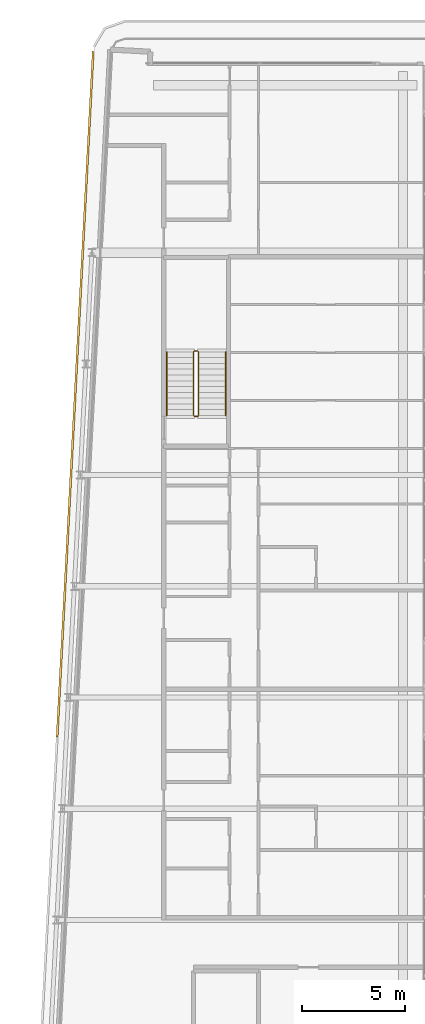
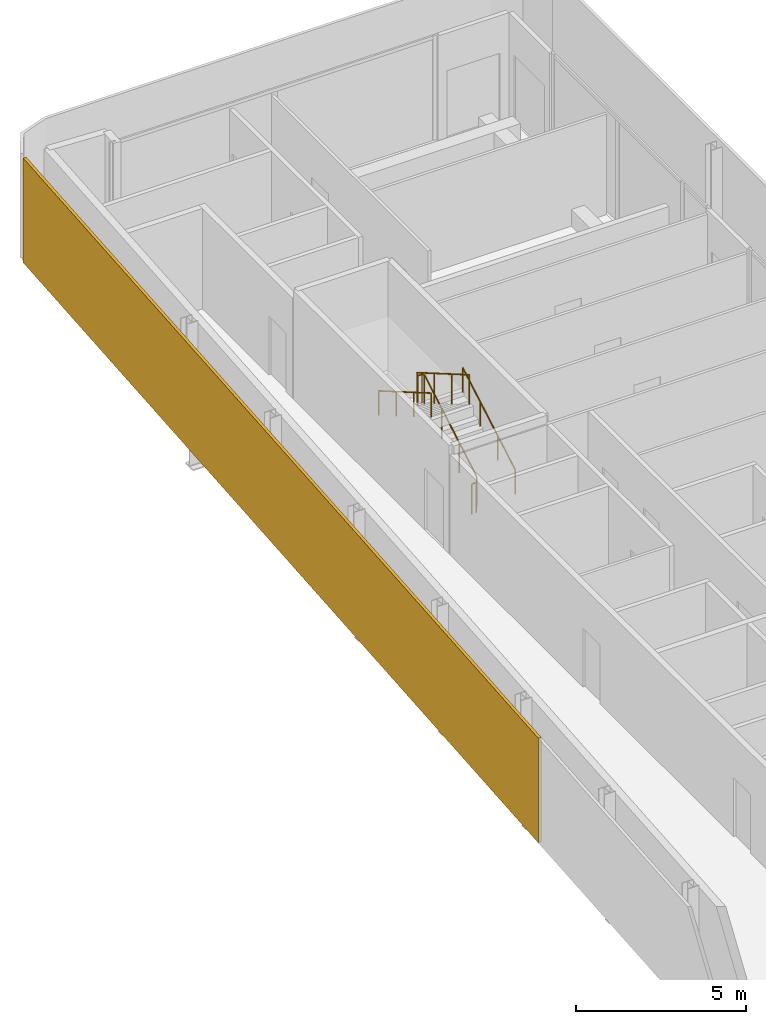
# One storey, part 16 of 18: 4 railings, 1 shading device.
"""IFC4 building model written with IfcOpenShell, lengths in metres."""

from ifc_helpers import new_model, si_unit, direction, frame, origin, origin_2d, place, context, subcontext, project, spatial, rectangle, circle, extrude, material, layer, layer_set, type_object, element, save


model = new_model("IFC4")

# Units and contexts
model_context = context("Model", 3, precision=1e-05, world=origin(), true_north=direction((0.0, 1.0)))
body_context = subcontext(model_context, "Body", "Model", "MODEL_VIEW")
ifc_project = project(units=[si_unit("LENGTHUNIT", "METRE"), si_unit("AREAUNIT", "SQUARE_METRE"), si_unit("VOLUMEUNIT", "CUBIC_METRE"), si_unit("PLANEANGLEUNIT", "RADIAN"), si_unit("MASSUNIT", "GRAM", prefix="KILO")], contexts=[model_context])

# Site, building, storey
site_placement = place(None, origin())
site = spatial("IfcSite", under=ifc_project, at=site_placement, CompositionType="ELEMENT")
building_placement = place(site_placement, origin())
building = spatial("IfcBuilding", under=site, at=building_placement, Name="Kheshtan School and Residences Tower", CompositionType="ELEMENT")
storey_placement = place(building_placement, frame((0.0, 0.0, 377.300048828125)))
storey = spatial("IfcBuildingStorey", under=building, at=storey_placement, Name="L89", CompositionType="ELEMENT", Elevation=377.300048828125)

# Shading device
ifc_material_1 = material(Name="Terracotta baguette, extruded ceramic", Category="masonry")
ifc_layer = layer(ifc_material_1, 0.10009765625)
ifc_layer_set = layer_set([ifc_layer], Name="Ledge screen, terracotta baguettes")
shading_device_type = type_object("IfcShadingDeviceType", Name="Ledge screen, terracotta baguettes", PredefinedType="USERDEFINED", material=ifc_layer_set)
shading_device_placement = place(storey_placement, frame((28.9990234375, 81.93408203125, 0.0), z_axis=(0.0, 0.0, 1.0), x_axis=(0.052562536748, 0.998617634398, 0.0)))
element("IfcShadingDevice", 1, at=shading_device_placement, inside=storey, type_object=shading_device_type, Name="Screen L89 5", ObjectType="BAGUETTE", PredefinedType="USERDEFINED", context=body_context, shape_type="SweptSolid", body=[
    extrude(rectangle(XDim=33.341064453125, YDim=0.10009765625, at=origin_2d()), origin(), (0.0, 0.0, 1.0), 3.75),
])

# Railings
ifc_material_2 = material(Name="Stainless steel balustrade", Category="steel")
railing_type_1 = type_object("IfcRailingType", Name="Stair guard 1100", PredefinedType="GUARDRAIL", material=ifc_material_2)
railing_1_placement = place(storey_placement, frame((35.0, 80.89990234375, 0.162353515625)))
element("IfcRailing", 2, at=railing_1_placement, inside=storey, type_object=railing_type_1, Name="L89 ST3 stair guard 1", PredefinedType="GUARDRAIL", context=body_context, shape_type="SweptSolid", body=[
    extrude(circle(Radius=0.02392578125, at=origin_2d()), frame((0.0, 0.0, 1.076171875), z_axis=(0.0, 0.864890721111, 0.501960198159), x_axis=(-1.0, 0.0, 0.0)), (0.0, 0.0, 1.0), 3.561279296875),
    extrude(circle(Radius=0.02392578125, at=origin_2d()), frame((0.0, 3.080078125, 2.86376953125), z_axis=(-0.707106781187, 0.707106781187, 0.0), x_axis=(-0.707106781187, -0.707106781187, 0.0)), (0.0, 0.0, 1.0), 0.07080078125),
    extrude(circle(Radius=0.02392578125, at=origin_2d()), frame((-0.050048828125, 3.130126953125, 2.86376953125), z_axis=(-1.0, 0.0, 0.0), x_axis=(0.0, -1.0, 0.0)), (0.0, 0.0, 1.0), 0.14990234375),
    extrude(circle(Radius=0.02392578125, at=origin_2d()), frame((-0.199951171875, 3.130126953125, 2.86376953125), z_axis=(-0.282227285176, -0.282227285176, 0.916894497205), x_axis=(0.707106781187, -0.707106781187, 0.0)), (0.0, 0.0, 1.0), 0.17724609375),
    extrude(circle(Radius=0.02392578125, at=origin_2d()), frame((-0.25, 3.080078125, 3.0263671875), z_axis=(0.0, -0.864920483161, 0.501908913857), x_axis=(1.0, 0.0, 0.0)), (0.0, 0.0, 1.0), 3.56103515625),
    extrude(circle(Radius=0.02099609375, at=origin_2d()), origin(), (0.0, 0.0, 1.0), 1.052001953125),
    extrude(circle(Radius=0.02099609375, at=origin_2d()), frame((0.0, 1.026611328125, 0.595947265625)), (0.0, 0.0, 1.0), 1.052001953125),
    extrude(circle(Radius=0.02099609375, at=origin_2d()), frame((0.0, 2.053466796875, 1.191650390625)), (0.0, 0.0, 1.0), 1.052001953125),
    extrude(circle(Radius=0.02099609375, at=origin_2d()), frame((0.0, 3.080078125, 1.78759765625)), (0.0, 0.0, 1.0), 1.052001953125),
    extrude(circle(Radius=0.02099609375, at=origin_2d()), frame((-0.050048828125, 3.130126953125, 1.78759765625)), (0.0, 0.0, 1.0), 1.052001953125),
    extrude(circle(Radius=0.02099609375, at=origin_2d()), frame((-0.199951171875, 3.130126953125, 1.78759765625)), (0.0, 0.0, 1.0), 1.052001953125),
    extrude(circle(Radius=0.02099609375, at=origin_2d()), frame((-0.25, 3.080078125, 1.9501953125)), (0.0, 0.0, 1.0), 1.052001953125),
    extrude(circle(Radius=0.02099609375, at=origin_2d()), frame((-0.25, 2.053466796875, 2.5458984375)), (0.0, 0.0, 1.0), 1.052001953125),
    extrude(circle(Radius=0.02099609375, at=origin_2d()), frame((-0.25, 1.026611328125, 3.141845703125)), (0.0, 0.0, 1.0), 1.052001953125),
    extrude(circle(Radius=0.02099609375, at=origin_2d()), frame((-0.25, 0.0, 3.737548828125)), (0.0, 0.0, 1.0), 1.052001953125),
])
railing_2_placement = place(storey_placement, frame((34.949951171875, 80.85009765625, 0.0)))
element("IfcRailing", 3, at=railing_2_placement, inside=storey, type_object=railing_type_1, Name="L89 ST3 stair guard 2", PredefinedType="GUARDRAIL", context=body_context, shape_type="SweptSolid", body=[
    extrude(circle(Radius=0.02392578125, at=origin_2d()), frame((0.0, 0.0, 1.076171875), z_axis=(-1.0, 0.0, 0.0), x_axis=(0.0, -1.0, 0.0)), (0.0, 0.0, 1.0), 0.14990234375),
    extrude(circle(Radius=0.02099609375, at=origin_2d()), origin(), (0.0, 0.0, 1.0), 1.052001953125),
    extrude(circle(Radius=0.02099609375, at=origin_2d()), frame((-0.14990234375, 0.0, 0.0)), (0.0, 0.0, 1.0), 1.052001953125),
])
ifc_material_3 = material(Name="Stainless steel handrail", Category="steel")
railing_type_2 = type_object("IfcRailingType", Name="Stair handrail 900", PredefinedType="HANDRAIL", material=ifc_material_3)
railing_3_placement = place(storey_placement, frame((36.300048828125, 80.89990234375, 0.162353515625)))
element("IfcRailing", 4, at=railing_3_placement, inside=storey, type_object=railing_type_2, Name="L89 ST3 stair handrail 1", PredefinedType="HANDRAIL", context=body_context, shape_type="SweptSolid", body=[
    extrude(circle(Radius=0.02392578125, at=origin_2d()), frame((0.0, 0.0, 0.8759765625), z_axis=(0.0, 0.864890721111, 0.501960198159), x_axis=(-1.0, 0.0, 0.0)), (0.0, 0.0, 1.0), 3.561279296875),
    extrude(circle(Radius=0.02099609375, at=origin_2d()), origin(), (0.0, 0.0, 1.0), 0.851806640625),
    extrude(circle(Radius=0.02099609375, at=origin_2d()), frame((0.0, 1.026611328125, 0.595947265625)), (0.0, 0.0, 1.0), 0.851806640625),
    extrude(circle(Radius=0.02099609375, at=origin_2d()), frame((0.0, 2.053466796875, 1.191650390625)), (0.0, 0.0, 1.0), 0.851806640625),
    extrude(circle(Radius=0.02099609375, at=origin_2d()), frame((0.0, 3.080078125, 1.78759765625)), (0.0, 0.0, 1.0), 0.851806640625),
])
railing_4_placement = place(storey_placement, frame((33.449951171875, 83.97998046875, 2.112548828125)))
element("IfcRailing", 5, at=railing_4_placement, inside=storey, type_object=railing_type_2, Name="L89 ST3 stair handrail 2", PredefinedType="HANDRAIL", context=body_context, shape_type="SweptSolid", body=[
    extrude(circle(Radius=0.02392578125, at=origin_2d()), frame((0.0, 0.0, 0.8759765625), z_axis=(0.0, -0.864920483161, 0.501908913857), x_axis=(1.0, 0.0, 0.0)), (0.0, 0.0, 1.0), 3.56103515625),
    extrude(circle(Radius=0.02099609375, at=origin_2d()), origin(), (0.0, 0.0, 1.0), 0.851806640625),
    extrude(circle(Radius=0.02099609375, at=origin_2d()), frame((0.0, -1.026611328125, 0.595703125)), (0.0, 0.0, 1.0), 0.851806640625),
    extrude(circle(Radius=0.02099609375, at=origin_2d()), frame((0.0, -2.053466796875, 1.191650390625)), (0.0, 0.0, 1.0), 0.851806640625),
    extrude(circle(Radius=0.02099609375, at=origin_2d()), frame((0.0, -3.080078125, 1.787353515625)), (0.0, 0.0, 1.0), 0.851806640625),
])

save(model, "model.ifc")
